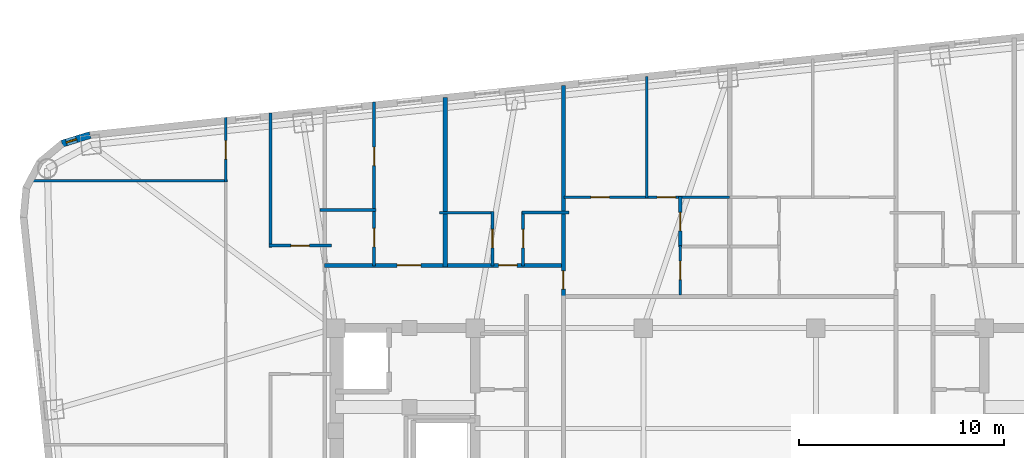
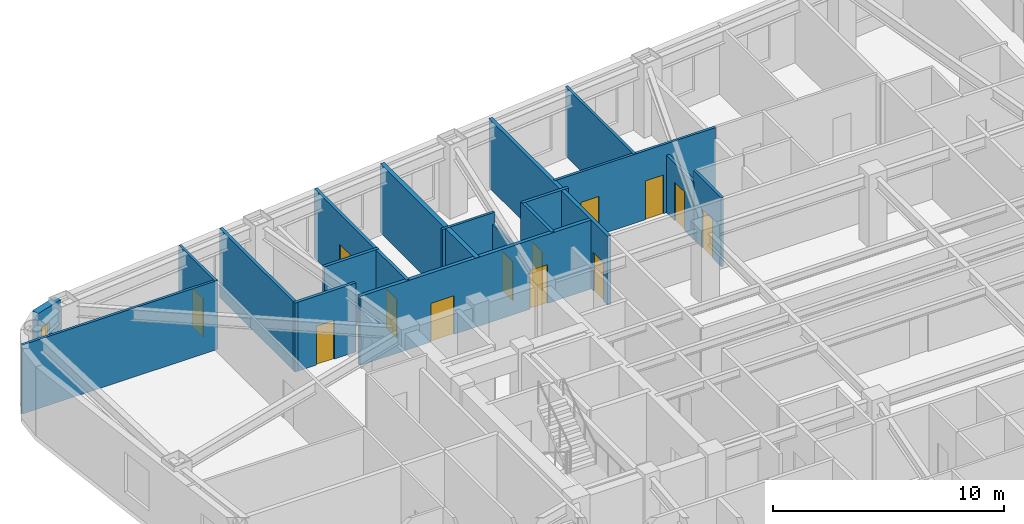
# One storey, part 7 of 11: 19 walls, 13 doors, 1 window, 14 openings.
"""IFC4 building model written with IfcOpenShell, lengths in metres."""

import ifcopenshell
import ifcopenshell.guid

model = None  # the IFC model being written
_history = None  # IfcOwnerHistory: only IFC2X3 demands one
_inside = {}  # id of a spatial element -> (the spatial element, [elements in it])
_under = {}  # id of a project, library or spatial element -> (it, [spatial elements below it])
_declared = {}  # id of a project -> (the project, [libraries it declares])
_typed = {}  # id of a type object -> (the type object, [elements of that type])
_made_of = {}  # id of a material, layer set ... -> (it, [elements and type objects made of it])


def new_model(schema):
    """Start an empty IFC model of exactly this schema.

    Asked for "IFC4X3", IfcOpenShell would pick the latest addendum, in which some entities
    have other attributes; the version numbers below select the first issue.
    IFC2X3 requires an IfcOwnerHistory on every rooted entity: one is made here for all.
    """
    global model, _history
    if schema == "IFC4X3":
        model = ifcopenshell.file(schema_version=(4, 3, 0, 0))
    else:
        model = ifcopenshell.file(schema=schema)
    _inside.clear()
    _under.clear()
    _declared.clear()
    _typed.clear()
    _made_of.clear()
    _history = None
    if model.schema == "IFC2X3":
        org = make("IfcOrganization", Name="unknown")
        user = make(
            "IfcPersonAndOrganization",
            ThePerson=make("IfcPerson", FamilyName="unknown"),
            TheOrganization=org,
        )
        app = make(
            "IfcApplication",
            ApplicationDeveloper=org,
            Version="unknown",
            ApplicationFullName="unknown",
            ApplicationIdentifier="unknown",
        )
        _history = make(
            "IfcOwnerHistory",
            OwningUser=user,
            OwningApplication=app,
            ChangeAction="ADDED",
            CreationDate=0,
        )
    return model


def make(cls, **values):
    """One entity of the class cls with the attributes given. An attribute that is None is left unset."""
    return model.create_entity(
        cls, **{name: value for name, value in values.items() if value is not None}
    )


def rooted(cls, **values):
    """An entity with a GlobalId (a new one), such as an element, a storey or a relation."""
    return make(cls, GlobalId=ifcopenshell.guid.new(), OwnerHistory=_history, **values)


def si_unit(unit_type, name, prefix=None):
    """IfcSIUnit, for example si_unit("LENGTHUNIT", "METRE", prefix="MILLI")."""
    return make("IfcSIUnit", UnitType=unit_type, Prefix=prefix, Name=name)


def assignment(units):
    """IfcUnitAssignment: the units of a project."""
    return None if units is None else make("IfcUnitAssignment", Units=units)


def point(xyz):
    """IfcCartesianPoint."""
    return None if xyz is None else make("IfcCartesianPoint", Coordinates=xyz)


def direction(xyz):
    """IfcDirection."""
    return None if xyz is None else make("IfcDirection", DirectionRatios=xyz)


def frame(location, z_axis=None, x_axis=None):
    """IfcAxis2Placement3D, a coordinate frame: its origin and axes. An axis left out is left unset."""
    return make(
        "IfcAxis2Placement3D",
        Location=point(location),
        Axis=direction(z_axis),
        RefDirection=direction(x_axis),
    )


def frame_2d(location, x_axis=None):
    """IfcAxis2Placement2D, a coordinate frame in the plane: its origin and x axis."""
    return make(
        "IfcAxis2Placement2D", Location=point(location), RefDirection=direction(x_axis)
    )


def origin():
    """The frame at (0, 0, 0) with its axes left unset."""
    return frame((0.0, 0.0, 0.0))


def place(relative_to, where):
    """IfcLocalPlacement: puts the frame where relative to a parent placement (None: the world)."""
    return make(
        "IfcLocalPlacement", PlacementRelTo=relative_to, RelativePlacement=where
    )


def context(
    kind, dimensions, precision=None, world=None, true_north=None, identifier=None
):
    """IfcGeometricRepresentationContext, for example the 3D "Model" context."""
    return make(
        "IfcGeometricRepresentationContext",
        ContextIdentifier=identifier,
        ContextType=kind,
        CoordinateSpaceDimension=dimensions,
        Precision=precision,
        WorldCoordinateSystem=world,
        TrueNorth=true_north,
    )


def subcontext(parent, identifier, kind, view, scale=None):
    """IfcGeometricRepresentationSubContext, for example "Body" below "Model"."""
    return make(
        "IfcGeometricRepresentationSubContext",
        ContextIdentifier=identifier,
        ContextType=kind,
        ParentContext=parent,
        TargetScale=scale,
        TargetView=view,
    )


def project(units=None, contexts=None):
    """IfcProject with its units and contexts."""
    return rooted(
        "IfcProject",
        Name="project",
        RepresentationContexts=contexts,
        UnitsInContext=assignment(units),
    )


def spatial(cls, under=None, at=None, **own):
    """A site, building, storey or space (cls), placed at a placement, below another one or the project."""
    s = rooted(cls, ObjectPlacement=at, **own)
    if under is not None:
        _under.setdefault(under.id(), (under, []))[1].append(s)
    return s


def profile(cls, at=None, kind="AREA", **sizes):
    """A parametric profile (cls). Its sizes go by their IFC names, for example OverallWidth=200.0."""
    return make(cls, ProfileType=kind, Position=at, **sizes)


def rectangle(**sizes):
    """IfcRectangleProfileDef."""
    return profile("IfcRectangleProfileDef", **sizes)


def extrude(swept, where, along, depth):
    """IfcExtrudedAreaSolid: the profile swept, set in the frame where, extruded along a direction by depth."""
    return make(
        "IfcExtrudedAreaSolid",
        SweptArea=swept,
        Position=where,
        ExtrudedDirection=direction(along),
        Depth=depth,
    )


def shape(context_of_items, identifier, shape_type, items):
    """IfcShapeRepresentation: the items that make up one representation, for example the "Body"."""
    return make(
        "IfcShapeRepresentation",
        ContextOfItems=context_of_items,
        RepresentationIdentifier=identifier,
        RepresentationType=shape_type,
        Items=items,
    )


def material(Name=None, Category=None):
    """IfcMaterial."""
    return make("IfcMaterial", Name=Name, Category=Category)


def layer(
    of_material, thickness, ventilated=None, Name=None, Category=None, Priority=None
):
    """IfcMaterialLayer: one layer of a wall or slab, of a material (None: an air gap)."""
    return make(
        "IfcMaterialLayer",
        Material=of_material,
        LayerThickness=thickness,
        IsVentilated=ventilated,
        Name=Name,
        Category=Category,
        Priority=Priority,
    )


def layer_set(layers, Name=None):
    """IfcMaterialLayerSet."""
    return make("IfcMaterialLayerSet", MaterialLayers=layers, LayerSetName=Name)


def made_of(thing, what):
    """Note that an element or type object is made of a material, layer set ...; save() writes the relation."""
    if what is not None:
        _made_of.setdefault(what.id(), (what, []))[1].append(thing)
    return thing


def type_object(cls, material=None, **own):
    """A type object (cls), such as IfcWallType, which elements share."""
    return made_of(rooted(cls, **own), material)


def element(
    cls,
    number,
    at=None,
    inside=None,
    cuts=None,
    type_object=None,
    material=None,
    context=None,
    identifier="Body",
    shape_type=None,
    held_by="IfcProductDefinitionShape",
    body=None,
    shapes=None,
    **own,
):
    """One element of the class cls, such as IfcWall. Its Tag is "e" and its number.

    at: its placement. inside: the storey or other place that contains it. cuts: it is an
    opening in that element (IfcRelVoidsElement). A single representation is given by context,
    identifier, shape_type and body (its items); several are given by shapes. held_by: the class
    of the entity that holds the representations. save() writes the other relations.
    """
    e = rooted(cls, Tag="e%d" % number, ObjectPlacement=at, **own)
    if body is not None:
        shapes = [shape(context, identifier, shape_type, body)]
    if shapes is not None:
        e.Representation = make(held_by, Representations=shapes)
    if inside is not None:
        _inside.setdefault(inside.id(), (inside, []))[1].append(e)
    if cuts is not None:
        rooted(
            "IfcRelVoidsElement", RelatingBuildingElement=cuts, RelatedOpeningElement=e
        )
    if type_object is not None:
        _typed.setdefault(type_object.id(), (type_object, []))[1].append(e)
    return made_of(e, material)


def fill(opening, filler):
    """IfcRelFillsElement: the door or window that sits in an opening."""
    return rooted(
        "IfcRelFillsElement",
        RelatingOpeningElement=opening,
        RelatedBuildingElement=filler,
    )


def aggregate(whole, parts):
    """IfcRelAggregates: a whole, such as a stair, and the parts it consists of."""
    return rooted("IfcRelAggregates", RelatingObject=whole, RelatedObjects=parts)


def save(model, path):
    """Write the relations noted so far, then the file.

    IfcRelAggregates (storeys below a building ...), IfcRelContainedInSpatialStructure (elements
    in a storey), IfcRelDefinesByType, IfcRelAssociatesMaterial and IfcRelDeclares: one each for
    every whole, place, type object, material and project.
    """
    for whole, parts in _under.values():
        aggregate(whole, parts)
    for where, things in _inside.values():
        rooted(
            "IfcRelContainedInSpatialStructure",
            RelatedElements=things,
            RelatingStructure=where,
        )
    for kind, things in _typed.values():
        rooted("IfcRelDefinesByType", RelatedObjects=things, RelatingType=kind)
    for what, things in _made_of.values():
        rooted("IfcRelAssociatesMaterial", RelatedObjects=things, RelatingMaterial=what)
    for by, libraries in _declared.values():
        rooted("IfcRelDeclares", RelatingContext=by, RelatedDefinitions=libraries)
    model.write(path)


model = new_model("IFC4")

# Units and contexts
model_context = context("Model", 3, precision=1e-05, world=origin(), true_north=direction((0.0, 1.0)))
body_context = subcontext(model_context, "Body", "Model", "MODEL_VIEW")
ifc_project = project(units=[si_unit("LENGTHUNIT", "METRE"), si_unit("AREAUNIT", "SQUARE_METRE"), si_unit("VOLUMEUNIT", "CUBIC_METRE"), si_unit("PLANEANGLEUNIT", "RADIAN"), si_unit("MASSUNIT", "GRAM", prefix="KILO")], contexts=[model_context])

# Site, building, storey
site_placement = place(None, origin())
site = spatial("IfcSite", under=ifc_project, at=site_placement, CompositionType="ELEMENT")
building_placement = place(site_placement, origin())
building = spatial("IfcBuilding", under=site, at=building_placement, Name="Voryun Gate Residences", CompositionType="ELEMENT")
storey_placement = place(building_placement, frame((0.0, 0.0, 163.800048828125)))
storey = spatial("IfcBuildingStorey", under=building, at=storey_placement, Name="L40", CompositionType="ELEMENT", Elevation=163.800048828125)

# Wall, openings, doors
ifc_material_1 = material(Name="Gypsum acoustic fireboard")
ifc_layer_1 = layer(ifc_material_1, 0.179931640625, Name="W_CORR_RATED_180")
ifc_layer_set_1 = layer_set([ifc_layer_1], Name="Gypsum acoustic fireboard")
wall_type_1 = type_object("IfcWallType", Name="W_CORR_RATED_180", PredefinedType="PARTITIONING", material=ifc_layer_set_1)
wall_1_placement = place(storey_placement, frame((-19.75, 10.449951171875, 0.0), z_axis=(0.0, 0.0, 1.0), x_axis=(1.0, 0.0, 0.0)))
wall_1 = element("IfcWall", 1, at=wall_1_placement, inside=storey, type_object=wall_type_1, Name="Partition wall WP-L40-NCORR-W", PredefinedType="PARTITIONING", context=body_context, shape_type="SweptSolid", body=[
    extrude(rectangle(XDim=11.669921875, YDim=0.179931640625, at=frame_2d((5.8349609375, 0.0))), origin(), (0.0, 0.0, 1.0), 3.64990234375),
])
opening_1_placement = place(wall_1_placement, frame((3.552734375, 0.0, 0.0)))
opening_1 = element("IfcOpeningElement", 2, at=opening_1_placement, cuts=wall_1, Name="Opening D-UNIT-1", PredefinedType="OPENING", context=body_context, shape_type="SweptSolid", body=[
    extrude(rectangle(XDim=1.14990234375, YDim=2.050048828125, at=frame_2d((0.574951171875, 1.02490234375))), frame((0.0, 0.099853515625, 0.0), z_axis=(0.0, -1.0, 0.0), x_axis=(1.0, 0.0, 0.0)), (0.0, 0.0, 1.0), 0.199951171875),
])
opening_2_placement = place(wall_1_placement, frame((8.4892578125, 0.0, 0.0)))
opening_2 = element("IfcOpeningElement", 3, at=opening_2_placement, cuts=wall_1, Name="Opening D-INT-2", PredefinedType="OPENING", context=body_context, shape_type="SweptSolid", body=[
    extrude(rectangle(XDim=0.89990234375, YDim=2.050048828125, at=frame_2d((0.449951171875, 1.02490234375))), frame((0.0, 0.099853515625, 0.0), z_axis=(0.0, -1.0, 0.0), x_axis=(1.0, 0.0, 0.0)), (0.0, 0.0, 1.0), 0.199951171875),
])
ifc_material_2 = material(Name="Architectural oak veneer")
door_type_1 = type_object("IfcDoorType", Name="DR_INT_BATH_900", OperationType="NOTDEFINED", PredefinedType="DOOR", material=ifc_material_2)
door_1_placement = place(opening_2_placement, origin())
door_1 = element("IfcDoor", 4, at=door_1_placement, inside=storey, type_object=door_type_1, Name="Door DR-L40-NENT-2", OperationType="SINGLE_SWING_RIGHT", OverallHeight=2.050048828125, OverallWidth=0.89990234375, PredefinedType="DOOR", context=body_context, shape_type="SweptSolid", body=[
    extrude(rectangle(XDim=0.89990234375, YDim=2.050048828125, at=frame_2d((0.449951171875, 1.02490234375))), frame((0.0, 0.02490234375, 0.0), z_axis=(0.0, -1.0, 0.0), x_axis=(1.0, 0.0, 0.0)), (0.0, 0.0, 1.0), 0.050048828125),
])
fill(opening_2, door_1)
ifc_material_3 = material(Name="Armoured timber-clad fire door", Category="wood")
door_type_2 = type_object("IfcDoorType", Name="DR_UNIT_ENTRY_1150", OperationType="NOTDEFINED", PredefinedType="DOOR", material=ifc_material_3)
door_2_placement = place(opening_1_placement, origin())
door_2 = element("IfcDoor", 5, at=door_2_placement, inside=storey, type_object=door_type_2, Name="Door DR-L40-NENT-1", OperationType="SINGLE_SWING_LEFT", OverallHeight=2.050048828125, OverallWidth=1.14990234375, PredefinedType="DOOR", context=body_context, shape_type="SweptSolid", body=[
    extrude(rectangle(XDim=1.14990234375, YDim=2.050048828125, at=frame_2d((0.574951171875, 1.02490234375))), frame((0.0, 0.02490234375, 0.0), z_axis=(0.0, -1.0, 0.0), x_axis=(1.0, 0.0, 0.0)), (0.0, 0.0, 1.0), 0.050048828125),
])
fill(opening_1, door_2)

# Wall, opening, door
wall_2_placement = place(storey_placement, frame((-8.10009765625, 8.93994140625, 0.0), z_axis=(0.0, 0.0, 1.0), x_axis=(0.0, 1.0, 0.0)))
wall_2 = element("IfcWall", 6, at=wall_2_placement, inside=storey, type_object=wall_type_1, Name="Partition wall WP-L40-NZV-1", PredefinedType="PARTITIONING", context=body_context, shape_type="SweptSolid", body=[
    extrude(rectangle(XDim=10.286376953125, YDim=0.179931640625, at=frame_2d((5.14306640625, 0.0))), origin(), (0.0, 0.0, 1.0), 3.64990234375),
])
opening_3_placement = place(wall_2_placement, frame((0.350341796875, 0.0, 0.0)))
opening_3 = element("IfcOpeningElement", 7, at=opening_3_placement, cuts=wall_2, Name="Opening D-INT-2", PredefinedType="OPENING", context=body_context, shape_type="SweptSolid", body=[
    extrude(rectangle(XDim=0.89990234375, YDim=2.050048828125, at=frame_2d((0.449951171875, 1.02490234375))), frame((0.0, 0.099853515625, 0.0), z_axis=(0.0, -1.0, 0.0), x_axis=(1.0, 0.0, 0.0)), (0.0, 0.0, 1.0), 0.199951171875),
])
door_3_placement = place(opening_3_placement, origin())
door_3 = element("IfcDoor", 8, at=door_3_placement, inside=storey, type_object=door_type_1, Name="Door DR-L40-NZENT-1", OperationType="SINGLE_SWING_LEFT", OverallHeight=2.050048828125, OverallWidth=0.89990234375, PredefinedType="DOOR", context=body_context, shape_type="SweptSolid", body=[
    extrude(rectangle(XDim=0.89990234375, YDim=2.050048828125, at=frame_2d((0.449951171875, 1.02490234375))), frame((0.0, 0.02490234375, 0.0), z_axis=(0.0, -1.0, 0.0), x_axis=(1.0, 0.0, 0.0)), (0.0, 0.0, 1.0), 0.050048828125),
])
fill(opening_3, door_3)

# Wall, opening, window
ifc_material_4 = material(Name="Charcoal terracotta masonry", Category="masonry")
ifc_layer_2 = layer(ifc_material_4, 0.340087890625, Name="W_EXT_TERRACOTTA_340")
ifc_layer_set_2 = layer_set([ifc_layer_2], Name="Charcoal terracotta masonry")
wall_type_2 = type_object("IfcWallType", Name="W_EXT_TERRACOTTA_340", PredefinedType="ELEMENTEDWALL", material=ifc_layer_set_2)
wall_3_placement = place(storey_placement, frame((-32.523193359375, 16.37841796875, 0.0), z_axis=(0.0, 0.0, 1.0), x_axis=(0.9549942197, 0.296624409546, 0.0)))
wall_3 = element("IfcWall", 9, at=wall_3_placement, inside=storey, type_object=wall_type_2, Name="Exterior wall WEXT-L40-10", PredefinedType="ELEMENTEDWALL", context=body_context, shape_type="SweptSolid", body=[
    extrude(rectangle(XDim=1.43212890625, YDim=0.340087890625, at=frame_2d((0.716064453125, 0.0))), origin(), (0.0, 0.0, 1.0), 3.64990234375),
])
opening_4_placement = place(wall_3_placement, frame((0.216064453125, 0.0, 0.75)))
opening_4 = element("IfcOpeningElement", 10, at=opening_4_placement, cuts=wall_3, Name="Opening WN10", PredefinedType="OPENING", context=body_context, shape_type="SweptSolid", body=[
    extrude(rectangle(XDim=0.52001953125, YDim=2.050048828125, at=frame_2d((0.260009765625, 1.02490234375))), frame((0.0, 0.179931640625, 0.0), z_axis=(0.0, -1.0, 0.0), x_axis=(1.0, 0.0, 0.0)), (0.0, 0.0, 1.0), 0.360107421875),
])
ifc_material_5 = material(Name="Laminated low-E glass", Category="glass")
window_type = type_object("IfcWindowType", Name="WN_PAGODA_LANCET_520", PartitioningType="SINGLE_PANEL", PredefinedType="WINDOW", material=ifc_material_5)
window_placement = place(opening_4_placement, origin())
window = element("IfcWindow", 11, at=window_placement, inside=storey, type_object=window_type, Name="Window WN-L40-DWFIX-24", OverallHeight=2.050048828125, OverallWidth=0.52001953125, PartitioningType="SINGLE_PANEL", PredefinedType="WINDOW", context=body_context, shape_type="SweptSolid", body=[
    extrude(rectangle(XDim=0.52001953125, YDim=2.050048828125, at=frame_2d((0.260009765625, 1.02490234375))), frame((0.0, 0.030029296875, 0.0), z_axis=(0.0, -1.0, 0.0), x_axis=(1.0, 0.0, 0.0)), (0.0, 0.0, 1.0), 0.06005859375),
])
fill(opening_4, window)

# Wall
ifc_material_6 = material(Name="Concrete C40/50", Category="concrete")
ifc_layer_3 = layer(ifc_material_6, 0.219970703125, Name="W_PARTY_ACOUSTIC_220")
ifc_layer_set_3 = layer_set([ifc_layer_3], Name="Concrete C40/50")
wall_type_3 = type_object("IfcWallType", Name="W_PARTY_ACOUSTIC_220", PredefinedType="PARTITIONING", material=ifc_layer_set_3)
wall_4_placement = place(storey_placement, frame((-13.864990234375, 10.3701171875, 0.0), z_axis=(0.0, 0.0, 1.0), x_axis=(0.0, 1.0, 0.0)))
element("IfcWall", 12, at=wall_4_placement, inside=storey, type_object=wall_type_3, Name="Partition wall WP-L40-NPTY-1", PredefinedType="PARTITIONING", context=body_context, shape_type="SweptSolid", body=[
    extrude(rectangle(XDim=8.25048828125, YDim=0.219970703125, at=frame_2d((4.125244140625, 0.0))), origin(), (0.0, 0.0, 1.0), 3.64990234375),
])

# Wall, opening, door
ifc_material_7 = material(Name="Gypsum acoustic partition")
ifc_layer_4 = layer(ifc_material_7, 0.125, Name="W_UNIT_PART_125")
ifc_layer_set_4 = layer_set([ifc_layer_4], Name="Gypsum acoustic partition")
wall_type_4 = type_object("IfcWallType", Name="W_UNIT_PART_125", PredefinedType="PARTITIONING", material=ifc_layer_set_4)
wall_5_placement = place(storey_placement, frame((-11.554931640625, 10.429931640625, 0.0), z_axis=(0.0, 0.0, 1.0), x_axis=(0.0, 1.0, 0.0)))
wall_5 = element("IfcWall", 13, at=wall_5_placement, inside=storey, type_object=wall_type_4, Name="Partition wall WP-L40-N2-CVK", PredefinedType="PARTITIONING", context=body_context, shape_type="SweptSolid", body=[
    extrude(rectangle(XDim=2.650146484375, YDim=0.125, at=frame_2d((1.3251953125, 0.0))), origin(), (0.0, 0.0, 1.0), 3.0400390625),
])
opening_5_placement = place(wall_5_placement, frame((0.875, 0.0, 0.0)))
opening_5 = element("IfcOpeningElement", 14, at=opening_5_placement, cuts=wall_5, Name="Opening D-INT-2", PredefinedType="OPENING", context=body_context, shape_type="SweptSolid", body=[
    extrude(rectangle(XDim=0.89990234375, YDim=2.050048828125, at=frame_2d((0.449951171875, 1.02490234375))), frame((0.0, 0.072509765625, 0.0), z_axis=(0.0, -1.0, 0.0), x_axis=(1.0, 0.0, 0.0)), (0.0, 0.0, 1.0), 0.14501953125),
])
door_4_placement = place(opening_5_placement, origin())
door_4 = element("IfcDoor", 15, at=door_4_placement, inside=storey, type_object=door_type_1, Name="Door DR-L40-N2-DK", OperationType="SINGLE_SWING_LEFT", OverallHeight=2.050048828125, OverallWidth=0.89990234375, PredefinedType="DOOR", context=body_context, shape_type="SweptSolid", body=[
    extrude(rectangle(XDim=0.89990234375, YDim=2.050048828125, at=frame_2d((0.449951171875, 1.02490234375))), frame((0.0, 0.02490234375, 0.0), z_axis=(0.0, -1.0, 0.0), x_axis=(1.0, 0.0, 0.0)), (0.0, 0.0, 1.0), 0.050048828125),
])
fill(opening_5, door_4)

# Wall
wall_6_placement = place(storey_placement, frame((-14.125, 13.02001953125, 0.0), z_axis=(0.0, 0.0, 1.0), x_axis=(1.0, 0.0, 0.0)))
element("IfcWall", 16, at=wall_6_placement, inside=storey, type_object=wall_type_4, Name="Partition wall WP-L40-N2-CHK", PredefinedType="PARTITIONING", context=body_context, shape_type="SweptSolid", body=[
    extrude(rectangle(XDim=2.6298828125, YDim=0.125, at=frame_2d((1.31494140625, 0.0))), origin(), (0.0, 0.0, 1.0), 3.64990234375),
])

# Wall, openings, doors
wall_7_placement = place(storey_placement, frame((-8.080078125, 13.780029296875, 0.0), z_axis=(0.0, 0.0, 1.0), x_axis=(1.0, 0.0, 0.0)))
wall_7 = element("IfcWall", 17, at=wall_7_placement, inside=storey, type_object=wall_type_4, Name="Partition wall WP-L40-NC1-HZ", PredefinedType="PARTITIONING", context=body_context, shape_type="SweptSolid", body=[
    extrude(rectangle(XDim=8.06005859375, YDim=0.125, at=frame_2d((4.030029296875, 0.0))), origin(), (0.0, 0.0, 1.0), 3.64990234375),
])
opening_6_placement = place(wall_7_placement, frame((1.3232421875, 0.0, 0.0)))
opening_6 = element("IfcOpeningElement", 18, at=opening_6_placement, cuts=wall_7, Name="Opening D-INT-2", PredefinedType="OPENING", context=body_context, shape_type="SweptSolid", body=[
    extrude(rectangle(XDim=0.89990234375, YDim=2.050048828125, at=frame_2d((0.449951171875, 1.02490234375))), frame((0.0, 0.072509765625, 0.0), z_axis=(0.0, -1.0, 0.0), x_axis=(1.0, 0.0, 0.0)), (0.0, 0.0, 1.0), 0.14501953125),
])
opening_7_placement = place(wall_7_placement, frame((4.547119140625, 0.0, 0.0)))
opening_7 = element("IfcOpeningElement", 19, at=opening_7_placement, cuts=wall_7, Name="Opening D-INT-2", PredefinedType="OPENING", context=body_context, shape_type="SweptSolid", body=[
    extrude(rectangle(XDim=0.89990234375, YDim=2.050048828125, at=frame_2d((0.449951171875, 1.02490234375))), frame((0.0, 0.072509765625, 0.0), z_axis=(0.0, -1.0, 0.0), x_axis=(1.0, 0.0, 0.0)), (0.0, 0.0, 1.0), 0.14501953125),
])
door_5_placement = place(opening_6_placement, origin())
door_5 = element("IfcDoor", 20, at=door_5_placement, inside=storey, type_object=door_type_1, Name="Door DR-L40-NC1-DMB", OperationType="SINGLE_SWING_LEFT", OverallHeight=2.050048828125, OverallWidth=0.89990234375, PredefinedType="DOOR", context=body_context, shape_type="SweptSolid", body=[
    extrude(rectangle(XDim=0.89990234375, YDim=2.050048828125, at=frame_2d((0.449951171875, 1.02490234375))), frame((0.0, 0.02490234375, 0.0), z_axis=(0.0, -1.0, 0.0), x_axis=(1.0, 0.0, 0.0)), (0.0, 0.0, 1.0), 0.050048828125),
])
fill(opening_6, door_5)
door_6_placement = place(opening_7_placement, origin())
door_6 = element("IfcDoor", 21, at=door_6_placement, inside=storey, type_object=door_type_1, Name="Door DR-L40-NC1-DBD2", OperationType="SINGLE_SWING_RIGHT", OverallHeight=2.050048828125, OverallWidth=0.89990234375, PredefinedType="DOOR", context=body_context, shape_type="SweptSolid", body=[
    extrude(rectangle(XDim=0.89990234375, YDim=2.050048828125, at=frame_2d((0.449951171875, 1.02490234375))), frame((0.0, 0.02490234375, 0.0), z_axis=(0.0, -1.0, 0.0), x_axis=(1.0, 0.0, 0.0)), (0.0, 0.0, 1.0), 0.050048828125),
])
fill(opening_7, door_6)

# Wall, opening, door
wall_8_placement = place(storey_placement, frame((-2.409912109375, 9.0, 0.0), z_axis=(0.0, 0.0, 1.0), x_axis=(0.0, 1.0, 0.0)))
wall_8 = element("IfcWall", 22, at=wall_8_placement, inside=storey, type_object=wall_type_4, Name="Partition wall WP-L40-NC1-VK1", PredefinedType="PARTITIONING", context=body_context, shape_type="SweptSolid", body=[
    extrude(rectangle(XDim=2.409912109375, YDim=0.125, at=frame_2d((1.205078125, 0.0))), origin(), (0.0, 0.0, 1.0), 3.64990234375),
])
opening_8_placement = place(wall_8_placement, frame((0.7548828125, 0.0, 0.0)))
opening_8 = element("IfcOpeningElement", 23, at=opening_8_placement, cuts=wall_8, Name="Opening D-INT-2", PredefinedType="OPENING", context=body_context, shape_type="SweptSolid", body=[
    extrude(rectangle(XDim=0.89990234375, YDim=2.050048828125, at=frame_2d((0.449951171875, 1.02490234375))), frame((0.0, 0.072509765625, 0.0), z_axis=(0.0, -1.0, 0.0), x_axis=(1.0, 0.0, 0.0)), (0.0, 0.0, 1.0), 0.14501953125),
])
door_7_placement = place(opening_8_placement, origin())
door_7 = element("IfcDoor", 24, at=door_7_placement, inside=storey, type_object=door_type_1, Name="Door DR-L40-NC1-DK", OperationType="SINGLE_SWING_LEFT", OverallHeight=2.050048828125, OverallWidth=0.89990234375, PredefinedType="DOOR", context=body_context, shape_type="SweptSolid", body=[
    extrude(rectangle(XDim=0.89990234375, YDim=2.050048828125, at=frame_2d((0.449951171875, 1.02490234375))), frame((0.0, 0.02490234375, 0.0), z_axis=(0.0, -1.0, 0.0), x_axis=(1.0, 0.0, 0.0)), (0.0, 0.0, 1.0), 0.050048828125),
])
fill(opening_8, door_7)

# Walls
wall_9_placement = place(storey_placement, frame((-4.050048828125, 13.739990234375, 0.0), z_axis=(0.0, 0.0, 1.0), x_axis=(0.0, 1.0, 0.0)))
element("IfcWall", 25, at=wall_9_placement, inside=storey, type_object=wall_type_4, Name="Partition wall WP-L40-NC1-VBD", PredefinedType="PARTITIONING", context=body_context, shape_type="SweptSolid", body=[
    extrude(rectangle(XDim=5.912109375, YDim=0.125, at=frame_2d((2.9560546875, 0.0))), origin(), (0.0, 0.0, 1.0), 3.64990234375),
])
wall_10_placement = place(storey_placement, frame((-34.2587890625, 14.56494140625, 0.0), z_axis=(0.0, 0.0, 1.0), x_axis=(1.0, 0.0, 0.0)))
element("IfcWall", 26, at=wall_10_placement, inside=storey, type_object=wall_type_4, Name="Partition wall WP-L40-W2-OH2", PredefinedType="PARTITIONING", context=body_context, shape_type="SweptSolid", body=[
    extrude(rectangle(XDim=9.788818359375, YDim=0.125, at=frame_2d((4.89453125, 0.0))), origin(), (0.0, 0.0, 1.0), 3.64990234375),
])

# Wall, opening, door
wall_11_placement = place(storey_placement, frame((-24.550048828125, 14.514892578125, 0.0), z_axis=(0.0, 0.0, 1.0), x_axis=(0.0, 1.0, 0.0)))
wall_11 = element("IfcWall", 27, at=wall_11_placement, inside=storey, type_object=wall_type_4, Name="Partition wall WP-L40-W2-OVX3", PredefinedType="PARTITIONING", context=body_context, shape_type="SweptSolid", body=[
    extrude(rectangle(XDim=3.13330078125, YDim=0.125, at=frame_2d((1.566650390625, 0.0))), origin(), (0.0, 0.0, 1.0), 3.64990234375),
])
opening_9_placement = place(wall_11_placement, frame((1.11669921875, 0.0, 0.0)))
opening_9 = element("IfcOpeningElement", 28, at=opening_9_placement, cuts=wall_11, Name="Opening D-INT-2", PredefinedType="OPENING", context=body_context, shape_type="SweptSolid", body=[
    extrude(rectangle(XDim=0.89990234375, YDim=2.050048828125, at=frame_2d((0.449951171875, 1.02490234375))), frame((0.0, 0.072509765625, 0.0), z_axis=(0.0, -1.0, 0.0), x_axis=(1.0, 0.0, 0.0)), (0.0, 0.0, 1.0), 0.14501953125),
])
door_8_placement = place(opening_9_placement, origin())
door_8 = element("IfcDoor", 29, at=door_8_placement, inside=storey, type_object=door_type_1, Name="Door DR-L40-W2-DMB", OperationType="SINGLE_SWING_LEFT", OverallHeight=2.050048828125, OverallWidth=0.89990234375, PredefinedType="DOOR", context=body_context, shape_type="SweptSolid", body=[
    extrude(rectangle(XDim=0.89990234375, YDim=2.050048828125, at=frame_2d((0.449951171875, 1.02490234375))), frame((0.0, 0.02490234375, 0.0), z_axis=(0.0, -1.0, 0.0), x_axis=(1.0, 0.0, 0.0)), (0.0, 0.0, 1.0), 0.050048828125),
])
fill(opening_9, door_8)

# Wall
ifc_material_8 = material(Name="Gypsum moisture-resistant partition")
ifc_layer_5 = layer(ifc_material_8, 0.14990234375, Name="W_WET_PLUMB_150")
ifc_layer_set_5 = layer_set([ifc_layer_5], Name="Gypsum moisture-resistant partition")
wall_type_5 = type_object("IfcWallType", Name="W_WET_PLUMB_150", PredefinedType="PLUMBINGWALL", material=ifc_layer_set_5)
wall_12_placement = place(storey_placement, frame((-19.969970703125, 13.14990234375, 0.0), z_axis=(0.0, 0.0, 1.0), x_axis=(1.0, 0.0, 0.0)))
element("IfcWall", 30, at=wall_12_placement, inside=storey, type_object=wall_type_5, Name="Partition wall WP-L40-N1-SKB", PredefinedType="PLUMBINGWALL", context=body_context, shape_type="SweptSolid", body=[
    extrude(rectangle(XDim=2.72998046875, YDim=0.14990234375, at=frame_2d((1.364990234375, 0.0))), origin(), (0.0, 0.0, 1.0), 3.64990234375),
])

# Wall, opening, door
wall_13_placement = place(storey_placement, frame((-17.320068359375, 10.429931640625, 0.0), z_axis=(0.0, 0.0, 1.0), x_axis=(0.0, 1.0, 0.0)))
wall_13 = element("IfcWall", 31, at=wall_13_placement, inside=storey, type_object=wall_type_5, Name="Partition wall WP-L40-N1-SVT1", PredefinedType="PLUMBINGWALL", context=body_context, shape_type="SweptSolid", body=[
    extrude(rectangle(XDim=2.760009765625, YDim=0.14990234375, at=frame_2d((1.3798828125, 0.0))), origin(), (0.0, 0.0, 1.0), 3.64990234375),
])
opening_10_placement = place(wall_13_placement, frame((0.929931640625, 0.0, 0.0)))
opening_10 = element("IfcOpeningElement", 32, at=opening_10_placement, cuts=wall_13, Name="Opening D-INT-2", PredefinedType="OPENING", context=body_context, shape_type="SweptSolid", body=[
    extrude(rectangle(XDim=0.89990234375, YDim=2.050048828125, at=frame_2d((0.449951171875, 1.02490234375))), frame((0.0, 0.0849609375, 0.0), z_axis=(0.0, -1.0, 0.0), x_axis=(1.0, 0.0, 0.0)), (0.0, 0.0, 1.0), 0.169921875),
])
door_9_placement = place(opening_10_placement, origin())
door_9 = element("IfcDoor", 33, at=door_9_placement, inside=storey, type_object=door_type_1, Name="Door DR-L40-N1-DB", OperationType="SINGLE_SWING_LEFT", OverallHeight=2.050048828125, OverallWidth=0.89990234375, PredefinedType="DOOR", context=body_context, shape_type="SweptSolid", body=[
    extrude(rectangle(XDim=0.89990234375, YDim=2.050048828125, at=frame_2d((0.449951171875, 1.02490234375))), frame((0.0, 0.02490234375, 0.0), z_axis=(0.0, -1.0, 0.0), x_axis=(1.0, 0.0, 0.0)), (0.0, 0.0, 1.0), 0.050048828125),
])
fill(opening_10, door_9)

wall_14_placement = place(storey_placement, frame((-17.320068359375, 13.110107421875, 0.0), z_axis=(0.0, 0.0, 1.0), x_axis=(0.0, 1.0, 0.0)))
wall_14 = element("IfcWall", 34, at=wall_14_placement, inside=storey, type_object=wall_type_5, Name="Partition wall WP-L40-N1-SVT2", PredefinedType="PLUMBINGWALL", context=body_context, shape_type="SweptSolid", body=[
    extrude(rectangle(XDim=5.298095703125, YDim=0.14990234375, at=frame_2d((2.64892578125, 0.0))), origin(), (0.0, 0.0, 1.0), 3.64990234375),
])
opening_11_placement = place(wall_14_placement, frame((2.19921875, 0.0, 0.0)))
opening_11 = element("IfcOpeningElement", 35, at=opening_11_placement, cuts=wall_14, Name="Opening D-INT-2", PredefinedType="OPENING", context=body_context, shape_type="SweptSolid", body=[
    extrude(rectangle(XDim=0.89990234375, YDim=2.050048828125, at=frame_2d((0.449951171875, 1.02490234375))), frame((0.0, 0.0849609375, 0.0), z_axis=(0.0, -1.0, 0.0), x_axis=(1.0, 0.0, 0.0)), (0.0, 0.0, 1.0), 0.169921875),
])
door_10_placement = place(opening_11_placement, origin())
door_10 = element("IfcDoor", 36, at=door_10_placement, inside=storey, type_object=door_type_1, Name="Door DR-L40-N1-DK", OperationType="SINGLE_SWING_RIGHT", OverallHeight=2.050048828125, OverallWidth=0.89990234375, PredefinedType="DOOR", context=body_context, shape_type="SweptSolid", body=[
    extrude(rectangle(XDim=0.89990234375, YDim=2.050048828125, at=frame_2d((0.449951171875, 1.02490234375))), frame((0.0, 0.02490234375, 0.0), z_axis=(0.0, -1.0, 0.0), x_axis=(1.0, 0.0, 0.0)), (0.0, 0.0, 1.0), 0.050048828125),
])
fill(opening_11, door_10)

wall_15_placement = place(storey_placement, frame((-10.06591796875, 10.429931640625, 0.0), z_axis=(0.0, 0.0, 1.0), x_axis=(0.0, 1.0, 0.0)))
wall_15 = element("IfcWall", 37, at=wall_15_placement, inside=storey, type_object=wall_type_5, Name="Partition wall WP-L40-N2-CVB", PredefinedType="PLUMBINGWALL", context=body_context, shape_type="SweptSolid", body=[
    extrude(rectangle(XDim=2.650146484375, YDim=0.14990234375, at=frame_2d((1.3251953125, 0.0))), origin(), (0.0, 0.0, 1.0), 3.64990234375),
])
opening_12_placement = place(wall_15_placement, frame((0.875, 0.0, 0.0)))
opening_12 = element("IfcOpeningElement", 38, at=opening_12_placement, cuts=wall_15, Name="Opening D-INT-2", PredefinedType="OPENING", context=body_context, shape_type="SweptSolid", body=[
    extrude(rectangle(XDim=0.89990234375, YDim=2.050048828125, at=frame_2d((0.449951171875, 1.02490234375))), frame((0.0, 0.0849609375, 0.0), z_axis=(0.0, -1.0, 0.0), x_axis=(1.0, 0.0, 0.0)), (0.0, 0.0, 1.0), 0.169921875),
])
door_11_placement = place(opening_12_placement, origin())
door_11 = element("IfcDoor", 39, at=door_11_placement, inside=storey, type_object=door_type_1, Name="Door DR-L40-N2-DB", OperationType="SINGLE_SWING_RIGHT", OverallHeight=2.050048828125, OverallWidth=0.89990234375, PredefinedType="DOOR", context=body_context, shape_type="SweptSolid", body=[
    extrude(rectangle(XDim=0.89990234375, YDim=2.050048828125, at=frame_2d((0.449951171875, 1.02490234375))), frame((0.0, 0.02490234375, 0.0), z_axis=(0.0, -1.0, 0.0), x_axis=(1.0, 0.0, 0.0)), (0.0, 0.0, 1.0), 0.050048828125),
])
fill(opening_12, door_11)

# Wall
wall_16_placement = place(storey_placement, frame((-10.1259765625, 13.02001953125, 0.0), z_axis=(0.0, 0.0, 1.0), x_axis=(1.0, 0.0, 0.0)))
element("IfcWall", 40, at=wall_16_placement, inside=storey, type_object=wall_type_5, Name="Partition wall WP-L40-N2-CHB", PredefinedType="PLUMBINGWALL", context=body_context, shape_type="SweptSolid", body=[
    extrude(rectangle(XDim=2.305908203125, YDim=0.14990234375, at=frame_2d((1.15283203125, 0.0))), origin(), (0.0, 0.0, 1.0), 3.64990234375),
])

# Wall, opening, door
wall_17_placement = place(storey_placement, frame((-2.409912109375, 11.35009765625, 0.0), z_axis=(0.0, 0.0, 1.0), x_axis=(0.0, 1.0, 0.0)))
wall_17 = element("IfcWall", 41, at=wall_17_placement, inside=storey, type_object=wall_type_5, Name="Partition wall WP-L40-NC1-VK2", PredefinedType="PLUMBINGWALL", context=body_context, shape_type="SweptSolid", body=[
    extrude(rectangle(XDim=2.469970703125, YDim=0.14990234375, at=frame_2d((1.23486328125, 0.0))), origin(), (0.0, 0.0, 1.0), 3.0400390625),
])
opening_13_placement = place(wall_17_placement, frame((0.784912109375, 0.0, 0.0)))
opening_13 = element("IfcOpeningElement", 42, at=opening_13_placement, cuts=wall_17, Name="Opening D-INT-2", PredefinedType="OPENING", context=body_context, shape_type="SweptSolid", body=[
    extrude(rectangle(XDim=0.89990234375, YDim=2.050048828125, at=frame_2d((0.449951171875, 1.02490234375))), frame((0.0, 0.0849609375, 0.0), z_axis=(0.0, -1.0, 0.0), x_axis=(1.0, 0.0, 0.0)), (0.0, 0.0, 1.0), 0.169921875),
])
door_12_placement = place(opening_13_placement, origin())
door_12 = element("IfcDoor", 43, at=door_12_placement, inside=storey, type_object=door_type_1, Name="Door DR-L40-NC1-DB", OperationType="SINGLE_SWING_RIGHT", OverallHeight=2.050048828125, OverallWidth=0.89990234375, PredefinedType="DOOR", context=body_context, shape_type="SweptSolid", body=[
    extrude(rectangle(XDim=0.89990234375, YDim=2.050048828125, at=frame_2d((0.449951171875, 1.02490234375))), frame((0.0, 0.02490234375, 0.0), z_axis=(0.0, -1.0, 0.0), x_axis=(1.0, 0.0, 0.0)), (0.0, 0.0, 1.0), 0.050048828125),
])
fill(opening_13, door_12)

wall_18_placement = place(storey_placement, frame((-22.449951171875, 11.412109375, 0.0), z_axis=(0.0, 0.0, 1.0), x_axis=(1.0, 0.0, 0.0)))
wall_18 = element("IfcWall", 44, at=wall_18_placement, inside=storey, type_object=wall_type_5, Name="Partition wall WP-L40-W2-IBB", PredefinedType="PLUMBINGWALL", context=body_context, shape_type="SweptSolid", body=[
    extrude(rectangle(XDim=3.050048828125, YDim=0.14990234375, at=frame_2d((1.52490234375, 0.0))), origin(), (0.0, 0.0, 1.0), 3.64990234375),
])
opening_14_placement = place(wall_18_placement, frame((1.074951171875, 0.0, 0.0)))
opening_14 = element("IfcOpeningElement", 45, at=opening_14_placement, cuts=wall_18, Name="Opening D-INT-2", PredefinedType="OPENING", context=body_context, shape_type="SweptSolid", body=[
    extrude(rectangle(XDim=0.89990234375, YDim=2.050048828125, at=frame_2d((0.449951171875, 1.02490234375))), frame((0.0, 0.0849609375, 0.0), z_axis=(0.0, -1.0, 0.0), x_axis=(1.0, 0.0, 0.0)), (0.0, 0.0, 1.0), 0.169921875),
])
door_13_placement = place(opening_14_placement, origin())
door_13 = element("IfcDoor", 46, at=door_13_placement, inside=storey, type_object=door_type_1, Name="Door DR-L40-W2-DB", OperationType="SINGLE_SWING_RIGHT", OverallHeight=2.050048828125, OverallWidth=0.89990234375, PredefinedType="DOOR", context=body_context, shape_type="SweptSolid", body=[
    extrude(rectangle(XDim=0.89990234375, YDim=2.050048828125, at=frame_2d((0.449951171875, 1.02490234375))), frame((0.0, 0.02490234375, 0.0), z_axis=(0.0, -1.0, 0.0), x_axis=(1.0, 0.0, 0.0)), (0.0, 0.0, 1.0), 0.050048828125),
])
fill(opening_14, door_13)

# Wall
wall_19_placement = place(storey_placement, frame((-22.3701171875, 11.33203125, 0.0), z_axis=(0.0, 0.0, 1.0), x_axis=(0.0, 1.0, 0.0)))
element("IfcWall", 47, at=wall_19_placement, inside=storey, type_object=wall_type_5, Name="Partition wall WP-L40-W2-VTB", PredefinedType="PLUMBINGWALL", context=body_context, shape_type="SweptSolid", body=[
    extrude(rectangle(XDim=6.54541015625, YDim=0.14990234375, at=frame_2d((3.272705078125, 0.0))), origin(), (0.0, 0.0, 1.0), 3.64990234375),
])

save(model, "model.ifc")
